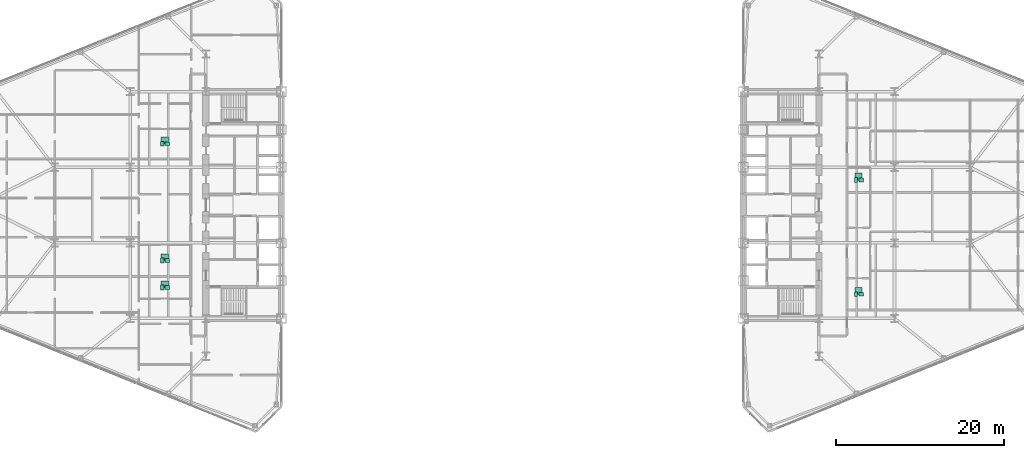
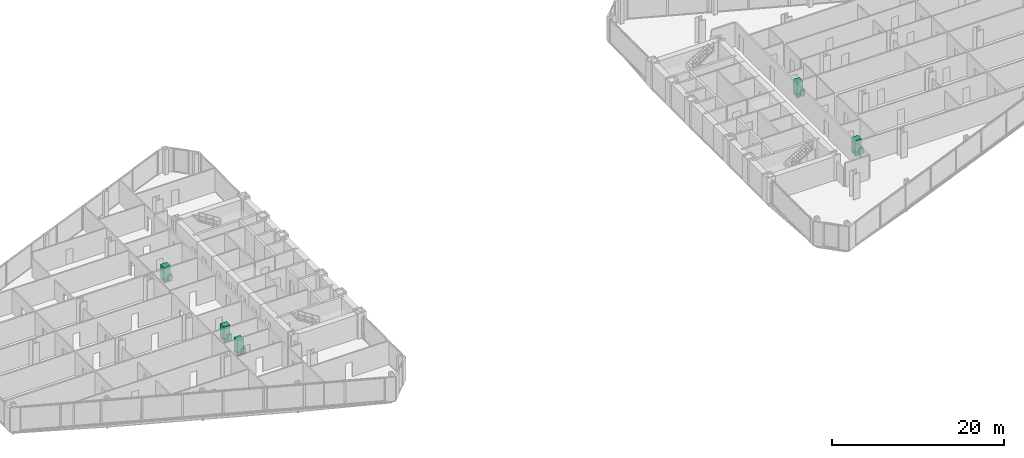
# One storey, part 25 of 25: 15 sanitary terminals.
"""IFC4 building model written with IfcOpenShell, lengths in metres."""

import ifcopenshell
import ifcopenshell.guid

model = None  # the IFC model being written
_history = None  # IfcOwnerHistory: only IFC2X3 demands one
_inside = {}  # id of a spatial element -> (the spatial element, [elements in it])
_under = {}  # id of a project, library or spatial element -> (it, [spatial elements below it])
_declared = {}  # id of a project -> (the project, [libraries it declares])
_typed = {}  # id of a type object -> (the type object, [elements of that type])
_made_of = {}  # id of a material, layer set ... -> (it, [elements and type objects made of it])


def new_model(schema):
    """Start an empty IFC model of exactly this schema.

    Asked for "IFC4X3", IfcOpenShell would pick the latest addendum, in which some entities
    have other attributes; the version numbers below select the first issue.
    IFC2X3 requires an IfcOwnerHistory on every rooted entity: one is made here for all.
    """
    global model, _history
    if schema == "IFC4X3":
        model = ifcopenshell.file(schema_version=(4, 3, 0, 0))
    else:
        model = ifcopenshell.file(schema=schema)
    _inside.clear()
    _under.clear()
    _declared.clear()
    _typed.clear()
    _made_of.clear()
    _history = None
    if model.schema == "IFC2X3":
        org = make("IfcOrganization", Name="unknown")
        user = make(
            "IfcPersonAndOrganization",
            ThePerson=make("IfcPerson", FamilyName="unknown"),
            TheOrganization=org,
        )
        app = make(
            "IfcApplication",
            ApplicationDeveloper=org,
            Version="unknown",
            ApplicationFullName="unknown",
            ApplicationIdentifier="unknown",
        )
        _history = make(
            "IfcOwnerHistory",
            OwningUser=user,
            OwningApplication=app,
            ChangeAction="ADDED",
            CreationDate=0,
        )
    return model


def make(cls, **values):
    """One entity of the class cls with the attributes given. An attribute that is None is left unset."""
    return model.create_entity(
        cls, **{name: value for name, value in values.items() if value is not None}
    )


def rooted(cls, **values):
    """An entity with a GlobalId (a new one), such as an element, a storey or a relation."""
    return make(cls, GlobalId=ifcopenshell.guid.new(), OwnerHistory=_history, **values)


def si_unit(unit_type, name, prefix=None):
    """IfcSIUnit, for example si_unit("LENGTHUNIT", "METRE", prefix="MILLI")."""
    return make("IfcSIUnit", UnitType=unit_type, Prefix=prefix, Name=name)


def assignment(units):
    """IfcUnitAssignment: the units of a project."""
    return None if units is None else make("IfcUnitAssignment", Units=units)


def point(xyz):
    """IfcCartesianPoint."""
    return None if xyz is None else make("IfcCartesianPoint", Coordinates=xyz)


def direction(xyz):
    """IfcDirection."""
    return None if xyz is None else make("IfcDirection", DirectionRatios=xyz)


def frame(location, z_axis=None, x_axis=None):
    """IfcAxis2Placement3D, a coordinate frame: its origin and axes. An axis left out is left unset."""
    return make(
        "IfcAxis2Placement3D",
        Location=point(location),
        Axis=direction(z_axis),
        RefDirection=direction(x_axis),
    )


def frame_2d(location, x_axis=None):
    """IfcAxis2Placement2D, a coordinate frame in the plane: its origin and x axis."""
    return make(
        "IfcAxis2Placement2D", Location=point(location), RefDirection=direction(x_axis)
    )


def origin():
    """The frame at (0, 0, 0) with its axes left unset."""
    return frame((0.0, 0.0, 0.0))


def origin_2d():
    """The frame at (0, 0) in the plane with its x axis left unset."""
    return frame_2d((0.0, 0.0))


def place(relative_to, where):
    """IfcLocalPlacement: puts the frame where relative to a parent placement (None: the world)."""
    return make(
        "IfcLocalPlacement", PlacementRelTo=relative_to, RelativePlacement=where
    )


def context(
    kind, dimensions, precision=None, world=None, true_north=None, identifier=None
):
    """IfcGeometricRepresentationContext, for example the 3D "Model" context."""
    return make(
        "IfcGeometricRepresentationContext",
        ContextIdentifier=identifier,
        ContextType=kind,
        CoordinateSpaceDimension=dimensions,
        Precision=precision,
        WorldCoordinateSystem=world,
        TrueNorth=true_north,
    )


def subcontext(parent, identifier, kind, view, scale=None):
    """IfcGeometricRepresentationSubContext, for example "Body" below "Model"."""
    return make(
        "IfcGeometricRepresentationSubContext",
        ContextIdentifier=identifier,
        ContextType=kind,
        ParentContext=parent,
        TargetScale=scale,
        TargetView=view,
    )


def project(units=None, contexts=None):
    """IfcProject with its units and contexts."""
    return rooted(
        "IfcProject",
        Name="project",
        RepresentationContexts=contexts,
        UnitsInContext=assignment(units),
    )


def spatial(cls, under=None, at=None, **own):
    """A site, building, storey or space (cls), placed at a placement, below another one or the project."""
    s = rooted(cls, ObjectPlacement=at, **own)
    if under is not None:
        _under.setdefault(under.id(), (under, []))[1].append(s)
    return s


def profile(cls, at=None, kind="AREA", **sizes):
    """A parametric profile (cls). Its sizes go by their IFC names, for example OverallWidth=200.0."""
    return make(cls, ProfileType=kind, Position=at, **sizes)


def rectangle(**sizes):
    """IfcRectangleProfileDef."""
    return profile("IfcRectangleProfileDef", **sizes)


def extrude(swept, where, along, depth):
    """IfcExtrudedAreaSolid: the profile swept, set in the frame where, extruded along a direction by depth."""
    return make(
        "IfcExtrudedAreaSolid",
        SweptArea=swept,
        Position=where,
        ExtrudedDirection=direction(along),
        Depth=depth,
    )


def shape(context_of_items, identifier, shape_type, items):
    """IfcShapeRepresentation: the items that make up one representation, for example the "Body"."""
    return make(
        "IfcShapeRepresentation",
        ContextOfItems=context_of_items,
        RepresentationIdentifier=identifier,
        RepresentationType=shape_type,
        Items=items,
    )


def source(mapping_origin, context_of_items, identifier, shape_type, items):
    """IfcRepresentationMap: a shape defined once, which mapped items show again and again."""
    return make(
        "IfcRepresentationMap",
        MappingOrigin=mapping_origin,
        MappedRepresentation=shape(context_of_items, identifier, shape_type, items),
    )


def transform(
    local_origin,
    x_axis=None,
    y_axis=None,
    z_axis=None,
    scale=None,
    scale2=None,
    scale3=None,
    uniform=True,
):
    """IfcCartesianTransformationOperator3D, or its non-uniform kind. x_axis, y_axis, z_axis: its Axis1, 2, 3."""
    if uniform:
        return make(
            "IfcCartesianTransformationOperator3D",
            Axis1=direction(x_axis),
            Axis2=direction(y_axis),
            LocalOrigin=point(local_origin),
            Scale=scale,
            Axis3=direction(z_axis),
        )
    return make(
        "IfcCartesianTransformationOperator3DnonUniform",
        Axis1=direction(x_axis),
        Axis2=direction(y_axis),
        LocalOrigin=point(local_origin),
        Scale=scale,
        Axis3=direction(z_axis),
        Scale2=scale2,
        Scale3=scale3,
    )


def mapped(mapping_source, mapping_target):
    """IfcMappedItem: shows the shape of a source again, moved by a transform."""
    return make(
        "IfcMappedItem", MappingSource=mapping_source, MappingTarget=mapping_target
    )


def material(Name=None, Category=None):
    """IfcMaterial."""
    return make("IfcMaterial", Name=Name, Category=Category)


def made_of(thing, what):
    """Note that an element or type object is made of a material, layer set ...; save() writes the relation."""
    if what is not None:
        _made_of.setdefault(what.id(), (what, []))[1].append(thing)
    return thing


def type_object(cls, material=None, **own):
    """A type object (cls), such as IfcWallType, which elements share."""
    return made_of(rooted(cls, **own), material)


def type_shapes(of_type, sources):
    """Give a type object the sources (RepresentationMaps) that its elements show as mapped items."""
    of_type.RepresentationMaps = sources


def element(
    cls,
    number,
    at=None,
    inside=None,
    cuts=None,
    type_object=None,
    material=None,
    context=None,
    identifier="Body",
    shape_type=None,
    held_by="IfcProductDefinitionShape",
    body=None,
    shapes=None,
    **own,
):
    """One element of the class cls, such as IfcWall. Its Tag is "e" and its number.

    at: its placement. inside: the storey or other place that contains it. cuts: it is an
    opening in that element (IfcRelVoidsElement). A single representation is given by context,
    identifier, shape_type and body (its items); several are given by shapes. held_by: the class
    of the entity that holds the representations. save() writes the other relations.
    """
    e = rooted(cls, Tag="e%d" % number, ObjectPlacement=at, **own)
    if body is not None:
        shapes = [shape(context, identifier, shape_type, body)]
    if shapes is not None:
        e.Representation = make(held_by, Representations=shapes)
    if inside is not None:
        _inside.setdefault(inside.id(), (inside, []))[1].append(e)
    if cuts is not None:
        rooted(
            "IfcRelVoidsElement", RelatingBuildingElement=cuts, RelatedOpeningElement=e
        )
    if type_object is not None:
        _typed.setdefault(type_object.id(), (type_object, []))[1].append(e)
    return made_of(e, material)


def aggregate(whole, parts):
    """IfcRelAggregates: a whole, such as a stair, and the parts it consists of."""
    return rooted("IfcRelAggregates", RelatingObject=whole, RelatedObjects=parts)


def save(model, path):
    """Write the relations noted so far, then the file.

    IfcRelAggregates (storeys below a building ...), IfcRelContainedInSpatialStructure (elements
    in a storey), IfcRelDefinesByType, IfcRelAssociatesMaterial and IfcRelDeclares: one each for
    every whole, place, type object, material and project.
    """
    for whole, parts in _under.values():
        aggregate(whole, parts)
    for where, things in _inside.values():
        rooted(
            "IfcRelContainedInSpatialStructure",
            RelatedElements=things,
            RelatingStructure=where,
        )
    for kind, things in _typed.values():
        rooted("IfcRelDefinesByType", RelatedObjects=things, RelatingType=kind)
    for what, things in _made_of.values():
        rooted("IfcRelAssociatesMaterial", RelatedObjects=things, RelatingMaterial=what)
    for by, libraries in _declared.values():
        rooted("IfcRelDeclares", RelatingContext=by, RelatedDefinitions=libraries)
    model.write(path)


model = new_model("IFC4")

# Units and contexts
model_context = context("Model", 3, precision=1e-05, world=origin(), true_north=direction((0.0, 1.0)))
body_context = subcontext(model_context, "Body", "Model", "MODEL_VIEW")
ifc_project = project(units=[si_unit("LENGTHUNIT", "METRE"), si_unit("AREAUNIT", "SQUARE_METRE"), si_unit("VOLUMEUNIT", "CUBIC_METRE"), si_unit("PLANEANGLEUNIT", "RADIAN"), si_unit("MASSUNIT", "GRAM", prefix="KILO")], contexts=[model_context])

# Site, building, storey
site_placement = place(None, origin())
site = spatial("IfcSite", under=ifc_project, at=site_placement, CompositionType="ELEMENT")
building_placement = place(site_placement, origin())
building = spatial("IfcBuilding", under=site, at=building_placement, Name="Seokmaru Belvedere", CompositionType="ELEMENT")
storey_placement = place(building_placement, frame((0.0, 0.0, 51.300048828125)))
storey = spatial("IfcBuildingStorey", under=building, at=storey_placement, Name="L13", CompositionType="ELEMENT", Elevation=51.300048828125)

# Sanitary terminals
ifc_material_1 = material(Name="Vitreous China Sanitaryware")
sanitary_terminal_type_1 = type_object("IfcSanitaryTerminalType", Name="Wall-Hung Vitreous China WC Pan", PredefinedType="TOILETPAN", material=ifc_material_1)
shared_shape_1 = source(origin(), body_context, "Body", "SweptSolid", [
    extrude(rectangle(XDim=0.3798828125, YDim=0.56005859375, at=origin_2d()), origin(), (0.0, 0.0, 1.0), 0.419921875),
])
type_shapes(sanitary_terminal_type_1, [shared_shape_1])
for number, where, z_axis, x_axis, name in (
    (1, (-41.699951171875, -9.822021484375, 0.0), (0.0, 0.0, 1.0), (1.0, 0.0, 0.0), "L13 Vitreous China WC 0075"),
    (2, (-41.699951171875, -6.611083984375, 0.0), (0.0, 0.0, 1.0), (1.0, 0.0, 0.0), "L13 Vitreous China WC 0076"),
    (3, (-41.699951171875, 7.2890625, 0.0), (0.0, 0.0, 1.0), (1.0, 0.0, 0.0), "L13 Vitreous China WC 0077"),
    (4, (40.925048828125, -10.611083984375, 0.0), (0.0, 0.0, 1.0), (1.0, 0.0, 0.0), "L13 Vitreous China WC 0078"),
    (5, (40.925048828125, 2.98388671875, 0.0), (0.0, 0.0, 1.0), (1.0, 0.0, 0.0), "L13 Vitreous China WC 0079"),
):
    element("IfcSanitaryTerminal", number, at=place(storey_placement, frame(where, z_axis=z_axis, x_axis=x_axis)), inside=storey, type_object=sanitary_terminal_type_1, Name=name, PredefinedType="TOILETPAN", context=body_context, shape_type="MappedRepresentation", body=[
        mapped(shared_shape_1, transform((0.0, 0.0, 0.0), scale=1.0)),
    ])
sanitary_terminal_type_2 = type_object("IfcSanitaryTerminalType", Name="Countertop Ceramic Washhand Basin", PredefinedType="WASHHANDBASIN", material=ifc_material_1)
shared_shape_2 = source(origin(), body_context, "Body", "SweptSolid", [
    extrude(rectangle(XDim=0.550048828125, YDim=0.449951171875, at=origin_2d()), origin(), (0.0, 0.0, 1.0), 0.820068359375),
])
type_shapes(sanitary_terminal_type_2, [shared_shape_2])
for number, where, z_axis, x_axis, name in (
    (6, (-41.10009765625, -9.822021484375, 0.0), (0.0, 0.0, 1.0), (1.0, 0.0, 0.0), "L13 Ceramic Washhand Basin 0075"),
    (7, (-41.10009765625, -6.611083984375, 0.0), (0.0, 0.0, 1.0), (1.0, 0.0, 0.0), "L13 Ceramic Washhand Basin 0076"),
    (8, (-41.10009765625, 7.2890625, 0.0), (0.0, 0.0, 1.0), (1.0, 0.0, 0.0), "L13 Ceramic Washhand Basin 0077"),
    (9, (41.52490234375, -10.611083984375, 0.0), (0.0, 0.0, 1.0), (1.0, 0.0, 0.0), "L13 Ceramic Washhand Basin 0078"),
    (10, (41.52490234375, 2.98388671875, 0.0), (0.0, 0.0, 1.0), (1.0, 0.0, 0.0), "L13 Ceramic Washhand Basin 0079"),
):
    element("IfcSanitaryTerminal", number, at=place(storey_placement, frame(where, z_axis=z_axis, x_axis=x_axis)), inside=storey, type_object=sanitary_terminal_type_2, Name=name, PredefinedType="WASHHANDBASIN", context=body_context, shape_type="MappedRepresentation", body=[
        mapped(shared_shape_2, transform((0.0, 0.0, 0.0), scale=1.0)),
    ])
ifc_material_2 = material(Name="Stainless Steel 316", Category="steel")
sanitary_terminal_type_3 = type_object("IfcSanitaryTerminalType", Name="Walk-In Thermostatic Rain Shower Enclosure", PredefinedType="SHOWER", material=ifc_material_2)
shared_shape_3 = source(origin(), body_context, "Body", "SweptSolid", [
    extrude(rectangle(XDim=0.85009765625, YDim=0.85009765625, at=origin_2d()), origin(), (0.0, 0.0, 1.0), 2.050048828125),
])
type_shapes(sanitary_terminal_type_3, [shared_shape_3])
for number, where, z_axis, x_axis, name in (
    (11, (-41.39990234375, -9.44189453125, 0.0), (0.0, 0.0, 1.0), (1.0, 0.0, 0.0), "L13 Walk-In Shower 0075"),
    (12, (-41.39990234375, -6.23095703125, 0.0), (0.0, 0.0, 1.0), (1.0, 0.0, 0.0), "L13 Walk-In Shower 0076"),
    (13, (-41.39990234375, 7.6689453125, 0.0), (0.0, 0.0, 1.0), (1.0, 0.0, 0.0), "L13 Walk-In Shower 0077"),
    (14, (41.22509765625, -10.23095703125, 0.0), (0.0, 0.0, 1.0), (1.0, 0.0, 0.0), "L13 Walk-In Shower 0078"),
    (15, (41.22509765625, 3.364013671875, 0.0), (0.0, 0.0, 1.0), (1.0, 0.0, 0.0), "L13 Walk-In Shower 0079"),
):
    element("IfcSanitaryTerminal", number, at=place(storey_placement, frame(where, z_axis=z_axis, x_axis=x_axis)), inside=storey, type_object=sanitary_terminal_type_3, Name=name, PredefinedType="SHOWER", context=body_context, shape_type="MappedRepresentation", body=[
        mapped(shared_shape_3, transform((0.0, 0.0, 0.0), scale=1.0)),
    ])

save(model, "model.ifc")
